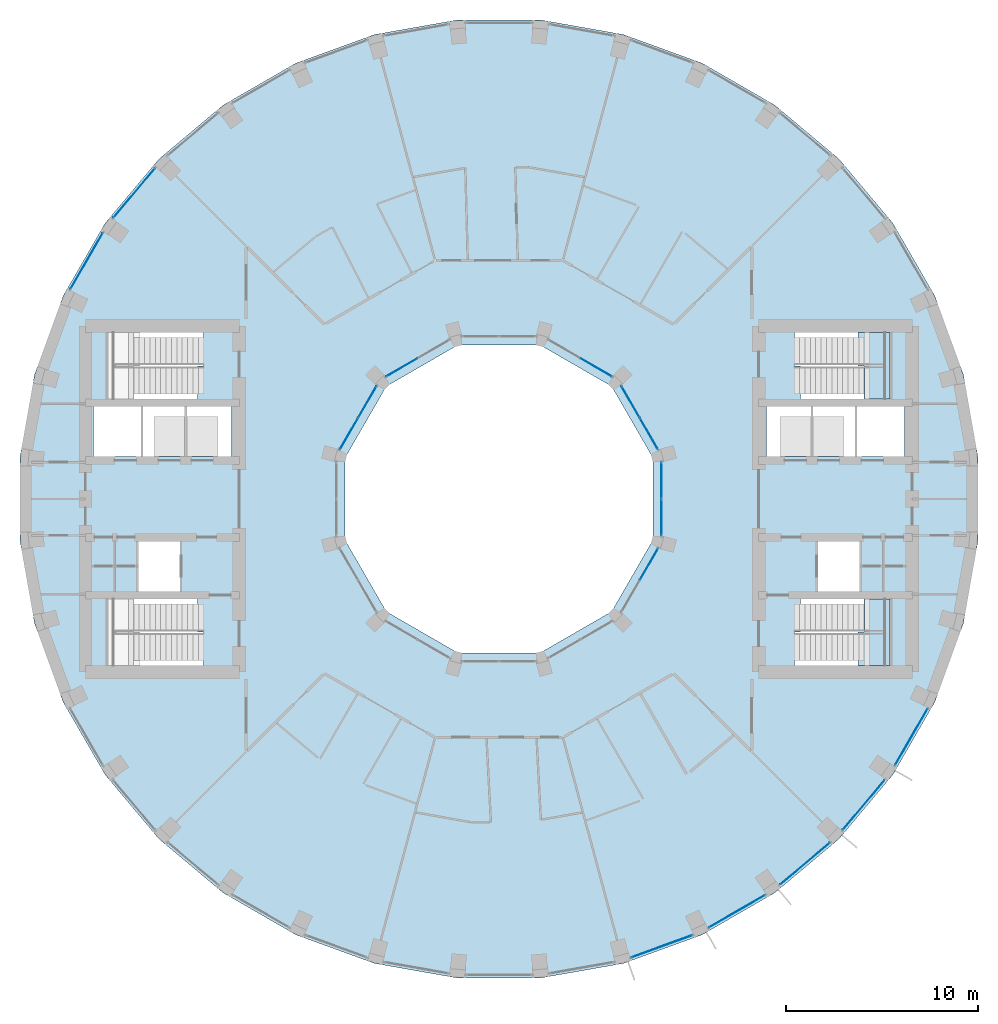
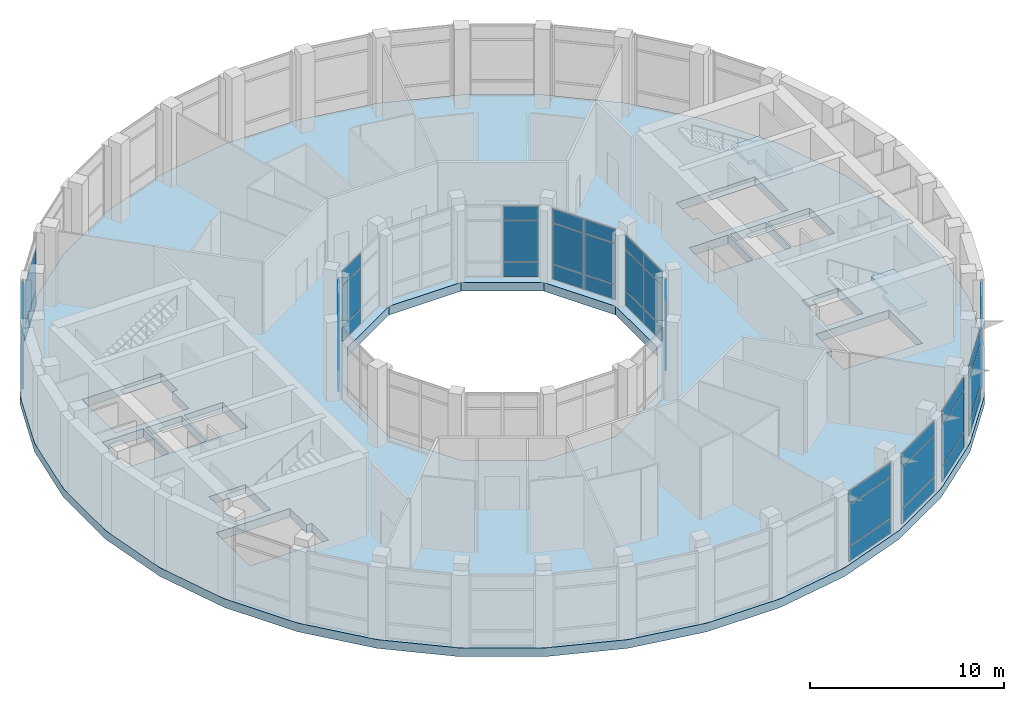
# One storey, part 9 of 18: 47 plates, 3 slabs, 15 elements without a shape of their own.
"""IFC4 building model written with IfcOpenShell, lengths in metres."""

from ifc_helpers import new_model, si_unit, direction, frame, origin, origin_2d, place, context, subcontext, project, spatial, polyline, rectangle, outline, extrude, material, layer, layer_set, type_object, element, aggregate, save


model = new_model("IFC4")

# Units and contexts
model_context = context("Model", 3, precision=1e-05, world=origin(), true_north=direction((0.0, 1.0)))
body_context = subcontext(model_context, "Body", "Model", "MODEL_VIEW")
ifc_project = project(units=[si_unit("LENGTHUNIT", "METRE"), si_unit("AREAUNIT", "SQUARE_METRE"), si_unit("VOLUMEUNIT", "CUBIC_METRE"), si_unit("PLANEANGLEUNIT", "RADIAN"), si_unit("MASSUNIT", "GRAM", prefix="KILO")], contexts=[model_context])

# Site, building, storey
site_placement = place(None, origin())
site = spatial("IfcSite", under=ifc_project, at=site_placement, CompositionType="ELEMENT")
building_placement = place(site_placement, origin())
building = spatial("IfcBuilding", under=site, at=building_placement, Name="Saqina Gate Tower", CompositionType="ELEMENT")
storey_placement = place(building_placement, frame((0.0, 0.0, 155.800048828125)))
storey = spatial("IfcBuildingStorey", under=building, at=storey_placement, Name="L44", CompositionType="ELEMENT", Elevation=155.800048828125)

# Curtain wall, plates
ifc_material_1 = material(Name="Aluminium glazing", Category="aluminium")
ifc_layer_1 = layer(ifc_material_1, 0.159912109375)
ifc_layer_set_1 = layer_set([ifc_layer_1], Name="CWT-2")
curtain_wall_type_1 = type_object("IfcCurtainWallType", Name="CWT-2", PredefinedType="NOTDEFINED", material=ifc_layer_set_1)
curtain_wall_1_placement = place(storey_placement, origin())
curtain_wall_1 = element("IfcCurtainWall", 1, at=curtain_wall_1_placement, inside=storey, type_object=curtain_wall_type_1, Name="Sky lounge glazing facet 14", PredefinedType="NOTDEFINED")
ifc_material_2 = material(Name="Glass", Category="glass")
ifc_layer_2 = layer(ifc_material_2, 0.028076171875)
ifc_layer_set_2 = layer_set([ifc_layer_2], Name="CWT-2P")
plate_type_1 = type_object("IfcPlateType", Name="CWT-2P", PredefinedType="CURTAIN_PANEL", material=ifc_layer_set_2)
plate_1_placement = place(storey_placement, frame((-18.96337890625, 15.912109375, 0.06005859375), z_axis=(0.0, 0.0, 1.0), x_axis=(-0.642789549658, -0.766042815286, 0.0)))
plate_1 = element("IfcPlate", 2, at=plate_1_placement, type_object=plate_type_1, Name="CW2-14 panel 1.1", PredefinedType="CURTAIN_PANEL", context=body_context, shape_type="SweptSolid", body=[
    extrude(rectangle(XDim=3.329833984375, YDim=0.028076171875, at=origin_2d()), origin(), (0.0, 0.0, 1.0), 0.909912109375),
])
plate_2_placement = place(storey_placement, frame((-18.96337890625, 15.912109375, 1.030029296875), z_axis=(0.0, 0.0, 1.0), x_axis=(-0.642789549658, -0.766042815286, 0.0)))
plate_2 = element("IfcPlate", 3, at=plate_2_placement, type_object=plate_type_1, Name="CW2-14 panel 1.2", PredefinedType="CURTAIN_PANEL", context=body_context, shape_type="SweptSolid", body=[
    extrude(rectangle(XDim=3.329833984375, YDim=0.028076171875, at=origin_2d()), origin(), (0.0, 0.0, 1.0), 2.5400390625),
])
aggregate(curtain_wall_1, [plate_1, plate_2])

curtain_wall_2_placement = place(storey_placement, origin())
curtain_wall_2 = element("IfcCurtainWall", 4, at=curtain_wall_2_placement, inside=storey, type_object=curtain_wall_type_1, Name="Sky lounge glazing facet 15", PredefinedType="NOTDEFINED")
plate_3_placement = place(storey_placement, frame((-21.438232421875, 12.37744140625, 0.06005859375), z_axis=(0.0, 0.0, 1.0), x_axis=(-0.500014364391, -0.866017110341, 0.0)))
plate_3 = element("IfcPlate", 5, at=plate_3_placement, type_object=plate_type_1, Name="CW2-15 panel 1.1", PredefinedType="CURTAIN_PANEL", context=body_context, shape_type="SweptSolid", body=[
    extrude(rectangle(XDim=3.32958984375, YDim=0.028076171875, at=origin_2d()), origin(), (0.0, 0.0, 1.0), 0.909912109375),
])
plate_4_placement = place(storey_placement, frame((-21.438232421875, 12.37744140625, 1.030029296875), z_axis=(0.0, 0.0, 1.0), x_axis=(-0.500014364391, -0.866017110341, 0.0)))
plate_4 = element("IfcPlate", 6, at=plate_4_placement, type_object=plate_type_1, Name="CW2-15 panel 1.2", PredefinedType="CURTAIN_PANEL", context=body_context, shape_type="SweptSolid", body=[
    extrude(rectangle(XDim=3.32958984375, YDim=0.028076171875, at=origin_2d()), origin(), (0.0, 0.0, 1.0), 2.5400390625),
])
plate_5_placement = place(storey_placement, frame((-21.438232421875, 12.37744140625, 3.6298828125), z_axis=(0.0, 0.0, 1.0), x_axis=(-0.500014364391, -0.866017110341, 0.0)))
plate_5 = element("IfcPlate", 7, at=plate_5_placement, type_object=plate_type_1, Name="CW2-15 panel 1.3", PredefinedType="CURTAIN_PANEL", context=body_context, shape_type="SweptSolid", body=[
    extrude(rectangle(XDim=3.32958984375, YDim=0.028076171875, at=origin_2d()), origin(), (0.0, 0.0, 1.0), 0.860107421875),
])
aggregate(curtain_wall_2, [plate_3, plate_4, plate_5])

curtain_wall_3_placement = place(storey_placement, origin())
curtain_wall_3 = element("IfcCurtainWall", 8, at=curtain_wall_3_placement, inside=storey, type_object=curtain_wall_type_1, Name="Sky lounge glazing facet 29", PredefinedType="NOTDEFINED")
plate_6_placement = place(storey_placement, frame((8.466552734375, -23.261962890625, 0.06005859375), z_axis=(0.0, 0.0, 1.0), x_axis=(0.939690972552, 0.342024671777, 0.0)))
plate_6 = element("IfcPlate", 9, at=plate_6_placement, type_object=plate_type_1, Name="CW2-29 panel 1.1", PredefinedType="CURTAIN_PANEL", context=body_context, shape_type="SweptSolid", body=[
    extrude(rectangle(XDim=3.329833984375, YDim=0.028076171875, at=origin_2d()), origin(), (0.0, 0.0, 1.0), 0.909912109375),
])
plate_7_placement = place(storey_placement, frame((8.466552734375, -23.261962890625, 1.030029296875), z_axis=(0.0, 0.0, 1.0), x_axis=(0.939690972552, 0.342024671777, 0.0)))
plate_7 = element("IfcPlate", 10, at=plate_7_placement, type_object=plate_type_1, Name="CW2-29 panel 1.2", PredefinedType="CURTAIN_PANEL", context=body_context, shape_type="SweptSolid", body=[
    extrude(rectangle(XDim=3.329833984375, YDim=0.028076171875, at=origin_2d()), origin(), (0.0, 0.0, 1.0), 2.5400390625),
])
plate_8_placement = place(storey_placement, frame((8.466552734375, -23.261962890625, 3.6298828125), z_axis=(0.0, 0.0, 1.0), x_axis=(0.939690972552, 0.342024671777, 0.0)))
plate_8 = element("IfcPlate", 11, at=plate_8_placement, type_object=plate_type_1, Name="CW2-29 panel 1.3", PredefinedType="CURTAIN_PANEL", context=body_context, shape_type="SweptSolid", body=[
    extrude(rectangle(XDim=3.329833984375, YDim=0.028076171875, at=origin_2d()), origin(), (0.0, 0.0, 1.0), 0.860107421875),
])
aggregate(curtain_wall_3, [plate_6, plate_7, plate_8])

curtain_wall_4_placement = place(storey_placement, origin())
curtain_wall_4 = element("IfcCurtainWall", 12, at=curtain_wall_4_placement, inside=storey, type_object=curtain_wall_type_1, Name="Sky lounge glazing facet 30", PredefinedType="NOTDEFINED")
plate_9_placement = place(storey_placement, frame((12.37744140625, -21.438232421875, 0.06005859375), z_axis=(0.0, 0.0, 1.0), x_axis=(0.866017110341, 0.500014364391, 0.0)))
plate_9 = element("IfcPlate", 13, at=plate_9_placement, type_object=plate_type_1, Name="CW2-30 panel 1.1", PredefinedType="CURTAIN_PANEL", context=body_context, shape_type="SweptSolid", body=[
    extrude(rectangle(XDim=3.32958984375, YDim=0.028076171875, at=origin_2d()), origin(), (0.0, 0.0, 1.0), 0.909912109375),
])
plate_10_placement = place(storey_placement, frame((12.37744140625, -21.438232421875, 1.030029296875), z_axis=(0.0, 0.0, 1.0), x_axis=(0.866017110341, 0.500014364391, 0.0)))
plate_10 = element("IfcPlate", 14, at=plate_10_placement, type_object=plate_type_1, Name="CW2-30 panel 1.2", PredefinedType="CURTAIN_PANEL", context=body_context, shape_type="SweptSolid", body=[
    extrude(rectangle(XDim=3.32958984375, YDim=0.028076171875, at=origin_2d()), origin(), (0.0, 0.0, 1.0), 2.5400390625),
])
plate_11_placement = place(storey_placement, frame((12.37744140625, -21.438232421875, 3.6298828125), z_axis=(0.0, 0.0, 1.0), x_axis=(0.866017110341, 0.500014364391, 0.0)))
plate_11 = element("IfcPlate", 15, at=plate_11_placement, type_object=plate_type_1, Name="CW2-30 panel 1.3", PredefinedType="CURTAIN_PANEL", context=body_context, shape_type="SweptSolid", body=[
    extrude(rectangle(XDim=3.32958984375, YDim=0.028076171875, at=origin_2d()), origin(), (0.0, 0.0, 1.0), 0.860107421875),
])
aggregate(curtain_wall_4, [plate_9, plate_10, plate_11])

curtain_wall_5_placement = place(storey_placement, origin())
curtain_wall_5 = element("IfcCurtainWall", 16, at=curtain_wall_5_placement, inside=storey, type_object=curtain_wall_type_1, Name="Sky lounge glazing facet 31", PredefinedType="NOTDEFINED")
plate_12_placement = place(storey_placement, frame((15.912109375, -18.96337890625, 0.06005859375), z_axis=(0.0, 0.0, 1.0), x_axis=(0.766042815286, 0.642789549658, 0.0)))
plate_12 = element("IfcPlate", 17, at=plate_12_placement, type_object=plate_type_1, Name="CW2-31 panel 1.1", PredefinedType="CURTAIN_PANEL", context=body_context, shape_type="SweptSolid", body=[
    extrude(rectangle(XDim=3.329833984375, YDim=0.028076171875, at=origin_2d()), origin(), (0.0, 0.0, 1.0), 0.909912109375),
])
plate_13_placement = place(storey_placement, frame((15.912109375, -18.96337890625, 1.030029296875), z_axis=(0.0, 0.0, 1.0), x_axis=(0.766042815286, 0.642789549658, 0.0)))
plate_13 = element("IfcPlate", 18, at=plate_13_placement, type_object=plate_type_1, Name="CW2-31 panel 1.2", PredefinedType="CURTAIN_PANEL", context=body_context, shape_type="SweptSolid", body=[
    extrude(rectangle(XDim=3.329833984375, YDim=0.028076171875, at=origin_2d()), origin(), (0.0, 0.0, 1.0), 2.5400390625),
])
plate_14_placement = place(storey_placement, frame((15.912109375, -18.96337890625, 3.6298828125), z_axis=(0.0, 0.0, 1.0), x_axis=(0.766042815286, 0.642789549658, 0.0)))
plate_14 = element("IfcPlate", 19, at=plate_14_placement, type_object=plate_type_1, Name="CW2-31 panel 1.3", PredefinedType="CURTAIN_PANEL", context=body_context, shape_type="SweptSolid", body=[
    extrude(rectangle(XDim=3.329833984375, YDim=0.028076171875, at=origin_2d()), origin(), (0.0, 0.0, 1.0), 0.860107421875),
])
aggregate(curtain_wall_5, [plate_12, plate_13, plate_14])

curtain_wall_6_placement = place(storey_placement, origin())
curtain_wall_6 = element("IfcCurtainWall", 20, at=curtain_wall_6_placement, inside=storey, type_object=curtain_wall_type_1, Name="Sky lounge glazing facet 32", PredefinedType="NOTDEFINED")
plate_15_placement = place(storey_placement, frame((18.96337890625, -15.912109375, 0.06005859375), z_axis=(0.0, 0.0, 1.0), x_axis=(0.642789549658, 0.766042815286, 0.0)))
plate_15 = element("IfcPlate", 21, at=plate_15_placement, type_object=plate_type_1, Name="CW2-32 panel 1.1", PredefinedType="CURTAIN_PANEL", context=body_context, shape_type="SweptSolid", body=[
    extrude(rectangle(XDim=3.329833984375, YDim=0.028076171875, at=origin_2d()), origin(), (0.0, 0.0, 1.0), 0.909912109375),
])
plate_16_placement = place(storey_placement, frame((18.96337890625, -15.912109375, 1.030029296875), z_axis=(0.0, 0.0, 1.0), x_axis=(0.642789549658, 0.766042815286, 0.0)))
plate_16 = element("IfcPlate", 22, at=plate_16_placement, type_object=plate_type_1, Name="CW2-32 panel 1.2", PredefinedType="CURTAIN_PANEL", context=body_context, shape_type="SweptSolid", body=[
    extrude(rectangle(XDim=3.329833984375, YDim=0.028076171875, at=origin_2d()), origin(), (0.0, 0.0, 1.0), 2.5400390625),
])
plate_17_placement = place(storey_placement, frame((18.96337890625, -15.912109375, 3.6298828125), z_axis=(0.0, 0.0, 1.0), x_axis=(0.642789549658, 0.766042815286, 0.0)))
plate_17 = element("IfcPlate", 23, at=plate_17_placement, type_object=plate_type_1, Name="CW2-32 panel 1.3", PredefinedType="CURTAIN_PANEL", context=body_context, shape_type="SweptSolid", body=[
    extrude(rectangle(XDim=3.329833984375, YDim=0.028076171875, at=origin_2d()), origin(), (0.0, 0.0, 1.0), 0.860107421875),
])
aggregate(curtain_wall_6, [plate_15, plate_16, plate_17])

curtain_wall_7_placement = place(storey_placement, origin())
curtain_wall_7 = element("IfcCurtainWall", 24, at=curtain_wall_7_placement, inside=storey, type_object=curtain_wall_type_1, Name="Sky lounge glazing facet 33", PredefinedType="NOTDEFINED")
plate_18_placement = place(storey_placement, frame((21.438232421875, -12.37744140625, 0.06005859375), z_axis=(0.0, 0.0, 1.0), x_axis=(0.500014364391, 0.866017110341, 0.0)))
plate_18 = element("IfcPlate", 25, at=plate_18_placement, type_object=plate_type_1, Name="CW2-33 panel 1.1", PredefinedType="CURTAIN_PANEL", context=body_context, shape_type="SweptSolid", body=[
    extrude(rectangle(XDim=3.32958984375, YDim=0.028076171875, at=origin_2d()), origin(), (0.0, 0.0, 1.0), 0.909912109375),
])
plate_19_placement = place(storey_placement, frame((21.438232421875, -12.37744140625, 1.030029296875), z_axis=(0.0, 0.0, 1.0), x_axis=(0.500014364391, 0.866017110341, 0.0)))
plate_19 = element("IfcPlate", 26, at=plate_19_placement, type_object=plate_type_1, Name="CW2-33 panel 1.2", PredefinedType="CURTAIN_PANEL", context=body_context, shape_type="SweptSolid", body=[
    extrude(rectangle(XDim=3.32958984375, YDim=0.028076171875, at=origin_2d()), origin(), (0.0, 0.0, 1.0), 2.5400390625),
])
plate_20_placement = place(storey_placement, frame((21.438232421875, -12.37744140625, 3.6298828125), z_axis=(0.0, 0.0, 1.0), x_axis=(0.500014364391, 0.866017110341, 0.0)))
plate_20 = element("IfcPlate", 27, at=plate_20_placement, type_object=plate_type_1, Name="CW2-33 panel 1.3", PredefinedType="CURTAIN_PANEL", context=body_context, shape_type="SweptSolid", body=[
    extrude(rectangle(XDim=3.32958984375, YDim=0.028076171875, at=origin_2d()), origin(), (0.0, 0.0, 1.0), 0.860107421875),
])
aggregate(curtain_wall_7, [plate_18, plate_19, plate_20])

ifc_material_3 = material(Name="Aluminium glazing", Category="aluminium")
ifc_layer_3 = layer(ifc_material_3, 0.159912109375)
ifc_layer_set_3 = layer_set([ifc_layer_3], Name="CWT-3")
curtain_wall_type_2 = type_object("IfcCurtainWallType", Name="CWT-3", PredefinedType="NOTDEFINED", material=ifc_layer_set_3)
curtain_wall_8_placement = place(storey_placement, origin())
curtain_wall_8 = element("IfcCurtainWall", 28, at=curtain_wall_8_placement, inside=storey, type_object=curtain_wall_type_2, Name="Sky lounge well glazing L44 facet 1", PredefinedType="NOTDEFINED")
ifc_material_4 = material(Name="Glass", Category="glass")
ifc_layer_4 = layer(ifc_material_4, 0.028076171875)
ifc_layer_set_4 = layer_set([ifc_layer_4], Name="CWT-3P")
plate_type_2 = type_object("IfcPlateType", Name="CWT-3P", PredefinedType="CURTAIN_PANEL", material=ifc_layer_set_4)
plate_21_placement = place(storey_placement, frame((7.794189453125, 3.400146484375, 0.06005859375), z_axis=(0.0, 0.0, 1.0), x_axis=(-0.500013238243, 0.866017760546, 0.0)))
plate_21 = element("IfcPlate", 29, at=plate_21_placement, type_object=plate_type_2, Name="CW3-01 panel 1.1", PredefinedType="CURTAIN_PANEL", context=body_context, shape_type="SweptSolid", body=[
    extrude(rectangle(XDim=1.844970703125, YDim=0.028076171875, at=origin_2d()), origin(), (0.0, 0.0, 1.0), 0.909912109375),
])
plate_22_placement = place(storey_placement, frame((7.794189453125, 3.400146484375, 1.030029296875), z_axis=(0.0, 0.0, 1.0), x_axis=(-0.500013238243, 0.866017760546, 0.0)))
plate_22 = element("IfcPlate", 30, at=plate_22_placement, type_object=plate_type_2, Name="CW3-01 panel 1.2", PredefinedType="CURTAIN_PANEL", context=body_context, shape_type="SweptSolid", body=[
    extrude(rectangle(XDim=1.844970703125, YDim=0.028076171875, at=origin_2d()), origin(), (0.0, 0.0, 1.0), 2.5400390625),
])
plate_23_placement = place(storey_placement, frame((7.794189453125, 3.400146484375, 3.6298828125), z_axis=(0.0, 0.0, 1.0), x_axis=(-0.500013238243, 0.866017760546, 0.0)))
plate_23 = element("IfcPlate", 31, at=plate_23_placement, type_object=plate_type_2, Name="CW3-01 panel 1.3", PredefinedType="CURTAIN_PANEL", context=body_context, shape_type="SweptSolid", body=[
    extrude(rectangle(XDim=1.844970703125, YDim=0.028076171875, at=origin_2d()), origin(), (0.0, 0.0, 1.0), 0.860107421875),
])
plate_24_placement = place(storey_placement, frame((6.841552734375, 5.0498046875, 0.06005859375), z_axis=(0.0, 0.0, 1.0), x_axis=(-0.500013238243, 0.866017760546, 0.0)))
plate_24 = element("IfcPlate", 32, at=plate_24_placement, type_object=plate_type_2, Name="CW3-01 panel 2.1", PredefinedType="CURTAIN_PANEL", context=body_context, shape_type="SweptSolid", body=[
    extrude(rectangle(XDim=1.844970703125, YDim=0.028076171875, at=origin_2d()), origin(), (0.0, 0.0, 1.0), 0.909912109375),
])
plate_25_placement = place(storey_placement, frame((6.841552734375, 5.0498046875, 1.030029296875), z_axis=(0.0, 0.0, 1.0), x_axis=(-0.500013238243, 0.866017760546, 0.0)))
plate_25 = element("IfcPlate", 33, at=plate_25_placement, type_object=plate_type_2, Name="CW3-01 panel 2.2", PredefinedType="CURTAIN_PANEL", context=body_context, shape_type="SweptSolid", body=[
    extrude(rectangle(XDim=1.844970703125, YDim=0.028076171875, at=origin_2d()), origin(), (0.0, 0.0, 1.0), 2.5400390625),
])
plate_26_placement = place(storey_placement, frame((6.841552734375, 5.0498046875, 3.6298828125), z_axis=(0.0, 0.0, 1.0), x_axis=(-0.500013238243, 0.866017760546, 0.0)))
plate_26 = element("IfcPlate", 34, at=plate_26_placement, type_object=plate_type_2, Name="CW3-01 panel 2.3", PredefinedType="CURTAIN_PANEL", context=body_context, shape_type="SweptSolid", body=[
    extrude(rectangle(XDim=1.844970703125, YDim=0.028076171875, at=origin_2d()), origin(), (0.0, 0.0, 1.0), 0.860107421875),
])
aggregate(curtain_wall_8, [plate_21, plate_22, plate_23, plate_24, plate_25, plate_26])

curtain_wall_9_placement = place(storey_placement, origin())
curtain_wall_9 = element("IfcCurtainWall", 35, at=curtain_wall_9_placement, inside=storey, type_object=curtain_wall_type_2, Name="Sky lounge well glazing L44 facet 2", PredefinedType="NOTDEFINED")
plate_27_placement = place(storey_placement, frame((5.0498046875, 6.841552734375, 0.06005859375), z_axis=(0.0, 0.0, 1.0), x_axis=(-0.866017760546, 0.500013238243, 0.0)))
plate_27 = element("IfcPlate", 36, at=plate_27_placement, type_object=plate_type_2, Name="CW3-02 panel 1.1", PredefinedType="CURTAIN_PANEL", context=body_context, shape_type="SweptSolid", body=[
    extrude(rectangle(XDim=1.844970703125, YDim=0.028076171875, at=origin_2d()), origin(), (0.0, 0.0, 1.0), 0.909912109375),
])
plate_28_placement = place(storey_placement, frame((5.0498046875, 6.841552734375, 1.030029296875), z_axis=(0.0, 0.0, 1.0), x_axis=(-0.866017760546, 0.500013238243, 0.0)))
plate_28 = element("IfcPlate", 37, at=plate_28_placement, type_object=plate_type_2, Name="CW3-02 panel 1.2", PredefinedType="CURTAIN_PANEL", context=body_context, shape_type="SweptSolid", body=[
    extrude(rectangle(XDim=1.844970703125, YDim=0.028076171875, at=origin_2d()), origin(), (0.0, 0.0, 1.0), 2.5400390625),
])
plate_29_placement = place(storey_placement, frame((5.0498046875, 6.841552734375, 3.6298828125), z_axis=(0.0, 0.0, 1.0), x_axis=(-0.866017760546, 0.500013238243, 0.0)))
plate_29 = element("IfcPlate", 38, at=plate_29_placement, type_object=plate_type_2, Name="CW3-02 panel 1.3", PredefinedType="CURTAIN_PANEL", context=body_context, shape_type="SweptSolid", body=[
    extrude(rectangle(XDim=1.844970703125, YDim=0.028076171875, at=origin_2d()), origin(), (0.0, 0.0, 1.0), 0.860107421875),
])
aggregate(curtain_wall_9, [plate_27, plate_28, plate_29])

curtain_wall_10_placement = place(storey_placement, origin())
curtain_wall_10 = element("IfcCurtainWall", 39, at=curtain_wall_10_placement, inside=storey, type_object=curtain_wall_type_2, Name="Sky lounge well glazing L44 facet 4", PredefinedType="NOTDEFINED")
plate_30_placement = place(storey_placement, frame((-5.0498046875, 6.841552734375, 0.06005859375), z_axis=(0.0, 0.0, 1.0), x_axis=(-0.866017760546, -0.500013238243, 0.0)))
plate_30 = element("IfcPlate", 40, at=plate_30_placement, type_object=plate_type_2, Name="CW3-04 panel 2.1", PredefinedType="CURTAIN_PANEL", context=body_context, shape_type="SweptSolid", body=[
    extrude(rectangle(XDim=1.844970703125, YDim=0.028076171875, at=origin_2d()), origin(), (0.0, 0.0, 1.0), 0.909912109375),
])
plate_31_placement = place(storey_placement, frame((-5.0498046875, 6.841552734375, 1.030029296875), z_axis=(0.0, 0.0, 1.0), x_axis=(-0.866017760546, -0.500013238243, 0.0)))
plate_31 = element("IfcPlate", 41, at=plate_31_placement, type_object=plate_type_2, Name="CW3-04 panel 2.2", PredefinedType="CURTAIN_PANEL", context=body_context, shape_type="SweptSolid", body=[
    extrude(rectangle(XDim=1.844970703125, YDim=0.028076171875, at=origin_2d()), origin(), (0.0, 0.0, 1.0), 2.5400390625),
])
plate_32_placement = place(storey_placement, frame((-5.0498046875, 6.841552734375, 3.6298828125), z_axis=(0.0, 0.0, 1.0), x_axis=(-0.866017760546, -0.500013238243, 0.0)))
plate_32 = element("IfcPlate", 42, at=plate_32_placement, type_object=plate_type_2, Name="CW3-04 panel 2.3", PredefinedType="CURTAIN_PANEL", context=body_context, shape_type="SweptSolid", body=[
    extrude(rectangle(XDim=1.844970703125, YDim=0.028076171875, at=origin_2d()), origin(), (0.0, 0.0, 1.0), 0.860107421875),
])
aggregate(curtain_wall_10, [plate_30, plate_31, plate_32])

curtain_wall_11_placement = place(storey_placement, origin())
curtain_wall_11 = element("IfcCurtainWall", 43, at=curtain_wall_11_placement, inside=storey, type_object=curtain_wall_type_2, Name="Sky lounge well glazing L44 facet 5", PredefinedType="NOTDEFINED")
plate_33_placement = place(storey_placement, frame((-6.841552734375, 5.0498046875, 0.06005859375), z_axis=(0.0, 0.0, 1.0), x_axis=(-0.500013238243, -0.866017760546, 0.0)))
plate_33 = element("IfcPlate", 44, at=plate_33_placement, type_object=plate_type_2, Name="CW3-05 panel 1.1", PredefinedType="CURTAIN_PANEL", context=body_context, shape_type="SweptSolid", body=[
    extrude(rectangle(XDim=1.844970703125, YDim=0.028076171875, at=origin_2d()), origin(), (0.0, 0.0, 1.0), 0.909912109375),
])
plate_34_placement = place(storey_placement, frame((-6.841552734375, 5.0498046875, 1.030029296875), z_axis=(0.0, 0.0, 1.0), x_axis=(-0.500013238243, -0.866017760546, 0.0)))
plate_34 = element("IfcPlate", 45, at=plate_34_placement, type_object=plate_type_2, Name="CW3-05 panel 1.2", PredefinedType="CURTAIN_PANEL", context=body_context, shape_type="SweptSolid", body=[
    extrude(rectangle(XDim=1.844970703125, YDim=0.028076171875, at=origin_2d()), origin(), (0.0, 0.0, 1.0), 2.5400390625),
])
plate_35_placement = place(storey_placement, frame((-6.841552734375, 5.0498046875, 3.6298828125), z_axis=(0.0, 0.0, 1.0), x_axis=(-0.500013238243, -0.866017760546, 0.0)))
plate_35 = element("IfcPlate", 46, at=plate_35_placement, type_object=plate_type_2, Name="CW3-05 panel 1.3", PredefinedType="CURTAIN_PANEL", context=body_context, shape_type="SweptSolid", body=[
    extrude(rectangle(XDim=1.844970703125, YDim=0.028076171875, at=origin_2d()), origin(), (0.0, 0.0, 1.0), 0.860107421875),
])
plate_36_placement = place(storey_placement, frame((-7.794189453125, 3.400146484375, 0.06005859375), z_axis=(0.0, 0.0, 1.0), x_axis=(-0.500013238243, -0.866017760546, 0.0)))
plate_36 = element("IfcPlate", 47, at=plate_36_placement, type_object=plate_type_2, Name="CW3-05 panel 2.1", PredefinedType="CURTAIN_PANEL", context=body_context, shape_type="SweptSolid", body=[
    extrude(rectangle(XDim=1.844970703125, YDim=0.028076171875, at=origin_2d()), origin(), (0.0, 0.0, 1.0), 0.909912109375),
])
plate_37_placement = place(storey_placement, frame((-7.794189453125, 3.400146484375, 1.030029296875), z_axis=(0.0, 0.0, 1.0), x_axis=(-0.500013238243, -0.866017760546, 0.0)))
plate_37 = element("IfcPlate", 48, at=plate_37_placement, type_object=plate_type_2, Name="CW3-05 panel 2.2", PredefinedType="CURTAIN_PANEL", context=body_context, shape_type="SweptSolid", body=[
    extrude(rectangle(XDim=1.844970703125, YDim=0.028076171875, at=origin_2d()), origin(), (0.0, 0.0, 1.0), 2.5400390625),
])
plate_38_placement = place(storey_placement, frame((-7.794189453125, 3.400146484375, 3.6298828125), z_axis=(0.0, 0.0, 1.0), x_axis=(-0.500013238243, -0.866017760546, 0.0)))
plate_38 = element("IfcPlate", 49, at=plate_38_placement, type_object=plate_type_2, Name="CW3-05 panel 2.3", PredefinedType="CURTAIN_PANEL", context=body_context, shape_type="SweptSolid", body=[
    extrude(rectangle(XDim=1.844970703125, YDim=0.028076171875, at=origin_2d()), origin(), (0.0, 0.0, 1.0), 0.860107421875),
])
aggregate(curtain_wall_11, [plate_33, plate_34, plate_35, plate_36, plate_37, plate_38])

curtain_wall_12_placement = place(storey_placement, origin())
curtain_wall_12 = element("IfcCurtainWall", 50, at=curtain_wall_12_placement, inside=storey, type_object=curtain_wall_type_2, Name="Sky lounge well glazing L44 facet 11", PredefinedType="NOTDEFINED")
plate_39_placement = place(storey_placement, frame((7.794189453125, -3.400146484375, 0.06005859375), z_axis=(0.0, 0.0, 1.0), x_axis=(0.500013238243, 0.866017760546, 0.0)))
plate_39 = element("IfcPlate", 51, at=plate_39_placement, type_object=plate_type_2, Name="CW3-11 panel 2.1", PredefinedType="CURTAIN_PANEL", context=body_context, shape_type="SweptSolid", body=[
    extrude(rectangle(XDim=1.844970703125, YDim=0.028076171875, at=origin_2d()), origin(), (0.0, 0.0, 1.0), 0.909912109375),
])
plate_40_placement = place(storey_placement, frame((7.794189453125, -3.400146484375, 1.030029296875), z_axis=(0.0, 0.0, 1.0), x_axis=(0.500013238243, 0.866017760546, 0.0)))
plate_40 = element("IfcPlate", 52, at=plate_40_placement, type_object=plate_type_2, Name="CW3-11 panel 2.2", PredefinedType="CURTAIN_PANEL", context=body_context, shape_type="SweptSolid", body=[
    extrude(rectangle(XDim=1.844970703125, YDim=0.028076171875, at=origin_2d()), origin(), (0.0, 0.0, 1.0), 2.5400390625),
])
plate_41_placement = place(storey_placement, frame((7.794189453125, -3.400146484375, 3.6298828125), z_axis=(0.0, 0.0, 1.0), x_axis=(0.500013238243, 0.866017760546, 0.0)))
plate_41 = element("IfcPlate", 53, at=plate_41_placement, type_object=plate_type_2, Name="CW3-11 panel 2.3", PredefinedType="CURTAIN_PANEL", context=body_context, shape_type="SweptSolid", body=[
    extrude(rectangle(XDim=1.844970703125, YDim=0.028076171875, at=origin_2d()), origin(), (0.0, 0.0, 1.0), 0.860107421875),
])
aggregate(curtain_wall_12, [plate_39, plate_40, plate_41])

curtain_wall_13_placement = place(storey_placement, origin())
curtain_wall_13 = element("IfcCurtainWall", 54, at=curtain_wall_13_placement, inside=storey, type_object=curtain_wall_type_2, Name="Sky lounge well glazing L44 facet 12", PredefinedType="NOTDEFINED")
plate_42_placement = place(storey_placement, frame((8.449951171875, -0.952392578125, 0.06005859375), z_axis=(0.0, 0.0, 1.0), x_axis=(0.0, 1.0, 0.0)))
plate_42 = element("IfcPlate", 55, at=plate_42_placement, type_object=plate_type_2, Name="CW3-12 panel 1.1", PredefinedType="CURTAIN_PANEL", context=body_context, shape_type="SweptSolid", body=[
    extrude(rectangle(XDim=1.844970703125, YDim=0.028076171875, at=origin_2d()), origin(), (0.0, 0.0, 1.0), 0.909912109375),
])
plate_43_placement = place(storey_placement, frame((8.449951171875, -0.952392578125, 1.030029296875), z_axis=(0.0, 0.0, 1.0), x_axis=(0.0, 1.0, 0.0)))
plate_43 = element("IfcPlate", 56, at=plate_43_placement, type_object=plate_type_2, Name="CW3-12 panel 1.2", PredefinedType="CURTAIN_PANEL", context=body_context, shape_type="SweptSolid", body=[
    extrude(rectangle(XDim=1.844970703125, YDim=0.028076171875, at=origin_2d()), origin(), (0.0, 0.0, 1.0), 2.5400390625),
])
plate_44_placement = place(storey_placement, frame((8.449951171875, -0.952392578125, 3.6298828125), z_axis=(0.0, 0.0, 1.0), x_axis=(0.0, 1.0, 0.0)))
plate_44 = element("IfcPlate", 57, at=plate_44_placement, type_object=plate_type_2, Name="CW3-12 panel 1.3", PredefinedType="CURTAIN_PANEL", context=body_context, shape_type="SweptSolid", body=[
    extrude(rectangle(XDim=1.844970703125, YDim=0.028076171875, at=origin_2d()), origin(), (0.0, 0.0, 1.0), 0.860107421875),
])
plate_45_placement = place(storey_placement, frame((8.449951171875, 0.952392578125, 0.06005859375), z_axis=(0.0, 0.0, 1.0), x_axis=(0.0, 1.0, 0.0)))
plate_45 = element("IfcPlate", 58, at=plate_45_placement, type_object=plate_type_2, Name="CW3-12 panel 2.1", PredefinedType="CURTAIN_PANEL", context=body_context, shape_type="SweptSolid", body=[
    extrude(rectangle(XDim=1.844970703125, YDim=0.028076171875, at=origin_2d()), origin(), (0.0, 0.0, 1.0), 0.909912109375),
])
plate_46_placement = place(storey_placement, frame((8.449951171875, 0.952392578125, 1.030029296875), z_axis=(0.0, 0.0, 1.0), x_axis=(0.0, 1.0, 0.0)))
plate_46 = element("IfcPlate", 59, at=plate_46_placement, type_object=plate_type_2, Name="CW3-12 panel 2.2", PredefinedType="CURTAIN_PANEL", context=body_context, shape_type="SweptSolid", body=[
    extrude(rectangle(XDim=1.844970703125, YDim=0.028076171875, at=origin_2d()), origin(), (0.0, 0.0, 1.0), 2.5400390625),
])
plate_47_placement = place(storey_placement, frame((8.449951171875, 0.952392578125, 3.6298828125), z_axis=(0.0, 0.0, 1.0), x_axis=(0.0, 1.0, 0.0)))
plate_47 = element("IfcPlate", 60, at=plate_47_placement, type_object=plate_type_2, Name="CW3-12 panel 2.3", PredefinedType="CURTAIN_PANEL", context=body_context, shape_type="SweptSolid", body=[
    extrude(rectangle(XDim=1.844970703125, YDim=0.028076171875, at=origin_2d()), origin(), (0.0, 0.0, 1.0), 0.860107421875),
])
aggregate(curtain_wall_13, [plate_42, plate_43, plate_44, plate_45, plate_46, plate_47])

# Stair, slab
ifc_material_5 = material(Name="Concrete C40/50", Category="concrete")
stair_type = type_object("IfcStairType", Name="EXIT STAIR", PredefinedType="HALF_TURN_STAIR", material=ifc_material_5)
stair_1_placement = place(storey_placement, origin())
stair_1 = element("IfcStair", 61, at=stair_1_placement, inside=storey, type_object=stair_type, Name="EXIT STAIR 1", PredefinedType="HALF_TURN_STAIR")
ifc_material_6 = material(Name="Concrete C40/50", Category="concrete")
ifc_layer_5 = layer(ifc_material_6, 0.25)
ifc_layer_set_5 = layer_set([ifc_layer_5], Name="Concrete C40/50")
slab_type_1 = type_object("IfcSlabType", Name="EXIT STAIR LANDING", PredefinedType="LANDING", material=ifc_layer_set_5)
slab_1_placement = place(storey_placement, frame((0.0, 0.0, 2.25)))
slab_1 = element("IfcSlab", 62, at=slab_1_placement, type_object=slab_type_1, Name="EXIT STAIR 1 LANDING 1", PredefinedType="LANDING", context=body_context, shape_type="SweptSolid", body=[
    extrude(outline(polyline([(20.340087890625, 8.64990234375), (20.340087890625, 5.199951171875), (18.985107421875, 5.199951171875), (18.985107421875, 6.925048828125), (18.6708984375, 6.925048828125), (18.6708984375, 8.64990234375), (18.985107421875, 8.64990234375), (18.989990234375, 8.64990234375), (20.340087890625, 8.64990234375)])), origin(), (0.0, 0.0, 1.0), 0.25),
])
aggregate(stair_1, [slab_1])

stair_2_placement = place(storey_placement, origin())
stair_2 = element("IfcStair", 63, at=stair_2_placement, inside=storey, type_object=stair_type, Name="EXIT STAIR 2", PredefinedType="HALF_TURN_STAIR")
slab_2_placement = place(storey_placement, frame((0.0, 0.0, 2.25)))
slab_2 = element("IfcSlab", 64, at=slab_2_placement, type_object=slab_type_1, Name="EXIT STAIR 2 LANDING 1", PredefinedType="LANDING", context=body_context, shape_type="SweptSolid", body=[
    extrude(outline(polyline([(18.6708984375, -8.64990234375), (18.6708984375, -6.925048828125), (18.985107421875, -6.925048828125), (18.985107421875, -5.199951171875), (20.340087890625, -5.199951171875), (20.340087890625, -8.64990234375), (18.989990234375, -8.64990234375), (18.985107421875, -8.64990234375), (18.6708984375, -8.64990234375)])), origin(), (0.0, 0.0, 1.0), 0.25),
])
aggregate(stair_2, [slab_2])

# Slab
ifc_material_7 = material(Name="Concrete C40/50", Category="concrete")
ifc_layer_6 = layer(ifc_material_7, 0.550048828125)
ifc_layer_set_6 = layer_set([ifc_layer_6], Name="Concrete C40/50")
slab_type_2 = type_object("IfcSlabType", Name="STR-POST-TENSIONED FLAT PLATE FLOOR-550", PredefinedType="FLOOR", material=ifc_layer_set_6)
slab_3_placement = place(storey_placement, frame((0.0, 0.0, -0.550048828125)))
element("IfcSlab", 65, at=slab_3_placement, inside=storey, type_object=slab_type_2, Name="L44-SLB01", PredefinedType="FLOOR", context=body_context, shape_type="SweptSolid", body=[
    extrude(outline(polyline([(24.148193359375, -6.470458984375), (24.90478515625, -2.178955078125), (24.90478515625, 2.178955078125), (24.148193359375, 6.470458984375), (22.65771484375, 10.5654296875), (20.478759765625, 14.33935546875), (17.677734375, 17.677734375), (14.33935546875, 20.478759765625), (10.5654296875, 22.65771484375), (6.470458984375, 24.148193359375), (2.178955078125, 24.90478515625), (-2.178955078125, 24.90478515625), (-6.470458984375, 24.148193359375), (-10.5654296875, 22.65771484375), (-14.33935546875, 20.478759765625), (-17.677734375, 17.677734375), (-20.478759765625, 14.33935546875), (-22.65771484375, 10.5654296875), (-24.148193359375, 6.470458984375), (-24.90478515625, 2.178955078125), (-24.90478515625, -2.178955078125), (-24.148193359375, -6.470458984375), (-22.65771484375, -10.5654296875), (-20.478759765625, -14.33935546875), (-17.677734375, -17.677734375), (-14.33935546875, -20.478759765625), (-10.5654296875, -22.65771484375), (-6.470458984375, -24.148193359375), (-2.178955078125, -24.90478515625), (2.178955078125, -24.90478515625), (6.470458984375, -24.148193359375), (10.5654296875, -22.65771484375), (14.33935546875, -20.478759765625), (17.677734375, -17.677734375), (20.478759765625, -14.33935546875), (22.65771484375, -10.5654296875), (24.148193359375, -6.470458984375)]), holes=[polyline([(2.1435546875, 8.0), (5.8564453125, 5.8564453125), (8.0, 2.1435546875), (8.0, -2.1435546875), (5.8564453125, -5.8564453125), (2.1435546875, -8.0), (-2.1435546875, -8.0), (-5.8564453125, -5.8564453125), (-8.0, -2.1435546875), (-8.0, 2.1435546875), (-5.8564453125, 5.8564453125), (-2.1435546875, 8.0), (2.1435546875, 8.0)]), polyline([(-20.06005859375, -8.64990234375), (-20.06005859375, -6.925048828125), (-20.06005859375, -5.199951171875), (-15.6689453125, -5.199951171875), (-15.6689453125, -6.925048828125), (-15.35498046875, -6.925048828125), (-15.35498046875, -8.64990234375), (-20.06005859375, -8.64990234375)]), polyline([(-16.590087890625, -2.199951171875), (-16.590087890625, -4.800048828125), (-18.75, -4.800048828125), (-18.75, -2.199951171875), (-16.590087890625, -2.199951171875)]), polyline([(-18.6201171875, 4.800048828125), (-18.6201171875, 2.199951171875), (-21.090087890625, 2.199951171875), (-21.090087890625, 4.800048828125), (-18.6201171875, 4.800048828125)]), polyline([(-16.340087890625, 4.800048828125), (-16.340087890625, 2.199951171875), (-18.5, 2.199951171875), (-18.5, 4.800048828125), (-16.340087890625, 4.800048828125)]), polyline([(-13.909912109375, 4.800048828125), (-13.909912109375, 2.199951171875), (-16.219970703125, 2.199951171875), (-16.219970703125, 4.800048828125), (-13.909912109375, 4.800048828125)]), polyline([(-20.06005859375, 6.925048828125), (-20.06005859375, 8.64990234375), (-15.35498046875, 8.64990234375), (-15.35498046875, 6.925048828125), (-15.6689453125, 6.925048828125), (-15.6689453125, 5.199951171875), (-20.06005859375, 5.199951171875), (-20.06005859375, 6.925048828125)]), polyline([(15.35498046875, -6.925048828125), (15.6689453125, -6.925048828125), (15.6689453125, -5.199951171875), (20.06005859375, -5.199951171875), (20.06005859375, -6.925048828125), (20.06005859375, -8.64990234375), (15.35498046875, -8.64990234375), (15.35498046875, -6.925048828125)]), polyline([(18.75, -2.199951171875), (18.75, -4.800048828125), (16.590087890625, -4.800048828125), (16.590087890625, -2.199951171875), (18.75, -2.199951171875)]), polyline([(16.219970703125, 4.800048828125), (16.219970703125, 2.199951171875), (13.909912109375, 2.199951171875), (13.909912109375, 4.800048828125), (16.219970703125, 4.800048828125)]), polyline([(18.5, 4.800048828125), (18.5, 2.199951171875), (16.340087890625, 2.199951171875), (16.340087890625, 4.800048828125), (18.5, 4.800048828125)]), polyline([(21.090087890625, 4.800048828125), (21.090087890625, 2.199951171875), (18.6201171875, 2.199951171875), (18.6201171875, 4.800048828125), (21.090087890625, 4.800048828125)]), polyline([(15.6689453125, 6.925048828125), (15.35498046875, 6.925048828125), (15.35498046875, 8.64990234375), (20.06005859375, 8.64990234375), (20.06005859375, 6.925048828125), (20.06005859375, 5.199951171875), (15.6689453125, 5.199951171875), (15.6689453125, 6.925048828125)])]), origin(), (0.0, 0.0, 1.0), 0.550048828125),
])

save(model, "model.ifc")
